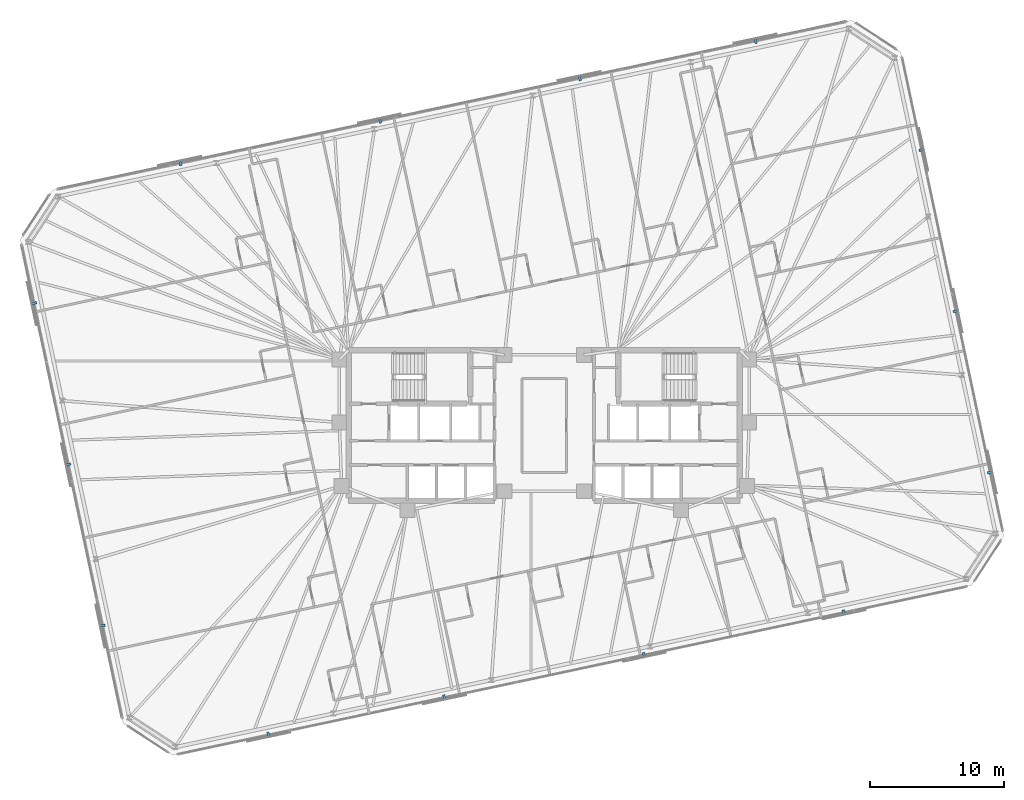
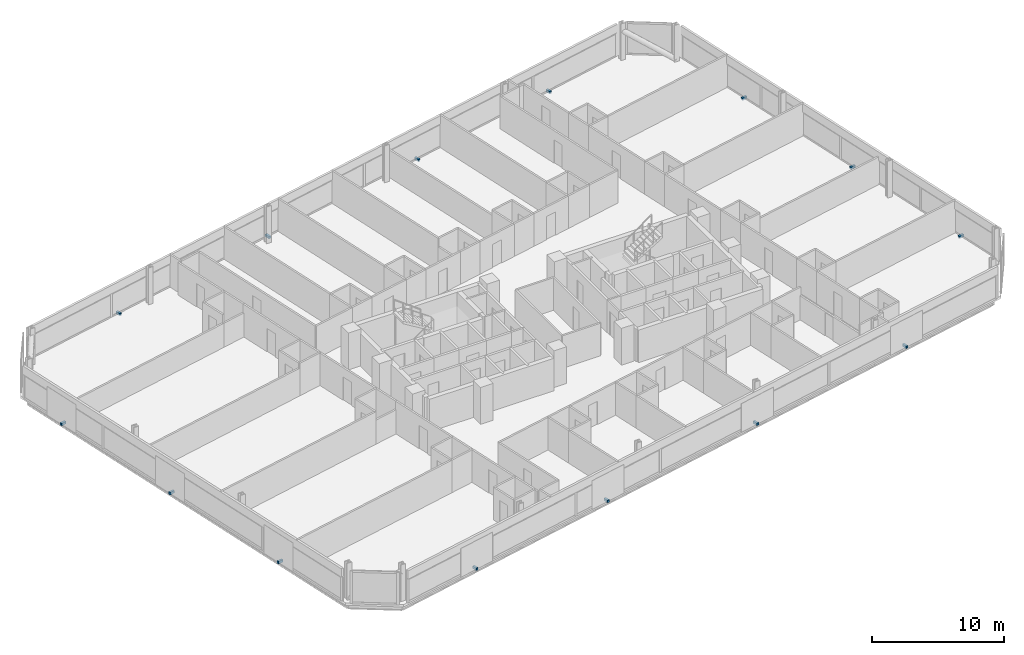
# One storey, part 19 of 20: 14 discrete accessories.
"""IFC4 building model written with IfcOpenShell, lengths in metres."""

from ifc_helpers import new_model, si_unit, direction, frame, origin, origin_2d, place, context, subcontext, project, spatial, rectangle, extrude, material, type_object, element, save


model = new_model("IFC4")

# Units and contexts
model_context = context("Model", 3, precision=1e-05, world=origin(), true_north=direction((0.0, 1.0)))
body_context = subcontext(model_context, "Body", "Model", "MODEL_VIEW")
ifc_project = project(units=[si_unit("LENGTHUNIT", "METRE"), si_unit("AREAUNIT", "SQUARE_METRE"), si_unit("VOLUMEUNIT", "CUBIC_METRE"), si_unit("PLANEANGLEUNIT", "RADIAN"), si_unit("MASSUNIT", "GRAM", prefix="KILO")], contexts=[model_context])

# Site, building, storey
site_placement = place(None, origin())
site = spatial("IfcSite", under=ifc_project, at=site_placement, CompositionType="ELEMENT")
building_placement = place(site_placement, origin())
building = spatial("IfcBuilding", under=site, at=building_placement, Name="Menara Jurai Vektor", CompositionType="ELEMENT")
storey_placement = place(building_placement, frame((0.0, 0.0, 199.0)))
storey = spatial("IfcBuildingStorey", under=building, at=storey_placement, Name="L52", CompositionType="ELEMENT", Elevation=199.0)

# Discrete accessories
ifc_material = material(Name="Steel S355", Category="steel")
discrete_accessory_type = type_object("IfcDiscreteAccessoryType", Name="ENV-ACC-BRACKET", PredefinedType="BRACKET", material=ifc_material)
for number, where, z_axis, x_axis, name in (
    (1, (-20.527099609375, -23.043701171875, -0.1298828125), (0.0, 0.0, 1.0), (0.978147600734, 0.207911690818, 0.0), "Solar Screen Stand-Off Bracket L52-S01"),
    (2, (-7.443115234375, -20.262451171875, -0.1298828125), (0.0, 0.0, 1.0), (0.978147600734, 0.207911690818, 0.0), "Solar Screen Stand-Off Bracket L52-S02"),
    (3, (7.424560546875, -17.102294921875, -0.1298828125), (0.0, 0.0, 1.0), (0.978147600734, 0.207911690818, 0.0), "Solar Screen Stand-Off Bracket L52-S03"),
    (4, (22.29248046875, -13.94189453125, -0.1298828125), (0.0, 0.0, 1.0), (0.978147600734, 0.207911690818, 0.0), "Solar Screen Stand-Off Bracket L52-S04"),
    (5, (33.19580078125, -3.491455078125, -0.1298828125), (0.0, 0.0, 1.0), (-0.207911690818, 0.978147600734, 0.0), "Solar Screen Stand-Off Bracket L52-S05"),
    (6, (30.6455078125, 8.50732421875, -0.1298828125), (0.0, 0.0, 1.0), (-0.207911690818, 0.978147600734, 0.0), "Solar Screen Stand-Off Bracket L52-S06"),
    (7, (28.09521484375, 20.505859375, -0.1298828125), (0.0, 0.0, 1.0), (-0.207911690818, 0.978147600734, 0.0), "Solar Screen Stand-Off Bracket L52-S07"),
    (8, (15.72705078125, 28.6435546875, -0.1298828125), (0.0, 0.0, 1.0), (-0.978147600734, -0.207911690818, 0.0), "Solar Screen Stand-Off Bracket L52-S08"),
    (9, (2.643310546875, 25.862548828125, -0.1298828125), (0.0, 0.0, 1.0), (-0.978147600734, -0.207911690818, 0.0), "Solar Screen Stand-Off Bracket L52-S09"),
    (10, (-12.224609375, 22.702392578125, -0.1298828125), (0.0, 0.0, 1.0), (-0.978147600734, -0.207911690818, 0.0), "Solar Screen Stand-Off Bracket L52-S10"),
    (11, (-27.092529296875, 19.5419921875, -0.1298828125), (0.0, 0.0, 1.0), (-0.978147600734, -0.207911690818, 0.0), "Solar Screen Stand-Off Bracket L52-S11"),
    (12, (-37.995849609375, 9.09130859375, -0.1298828125), (0.0, 0.0, 1.0), (0.207911690818, -0.978147600734, 0.0), "Solar Screen Stand-Off Bracket L52-S12"),
    (13, (-35.445556640625, -2.9072265625, -0.1298828125), (0.0, 0.0, 1.0), (0.207911690818, -0.978147600734, 0.0), "Solar Screen Stand-Off Bracket L52-S13"),
    (14, (-32.895263671875, -14.906005859375, -0.1298828125), (0.0, 0.0, 1.0), (0.207911690818, -0.978147600734, 0.0), "Solar Screen Stand-Off Bracket L52-S14"),
):
    element("IfcDiscreteAccessory", number, at=place(storey_placement, frame(where, z_axis=z_axis, x_axis=x_axis)), inside=storey, type_object=discrete_accessory_type, Name=name, PredefinedType="BRACKET", context=body_context, shape_type="SweptSolid", body=[
        extrude(rectangle(XDim=0.179931640625, YDim=0.43994140625, at=origin_2d()), origin(), (0.0, 0.0, 1.0), 0.219970703125),
    ])

save(model, "model.ifc")
